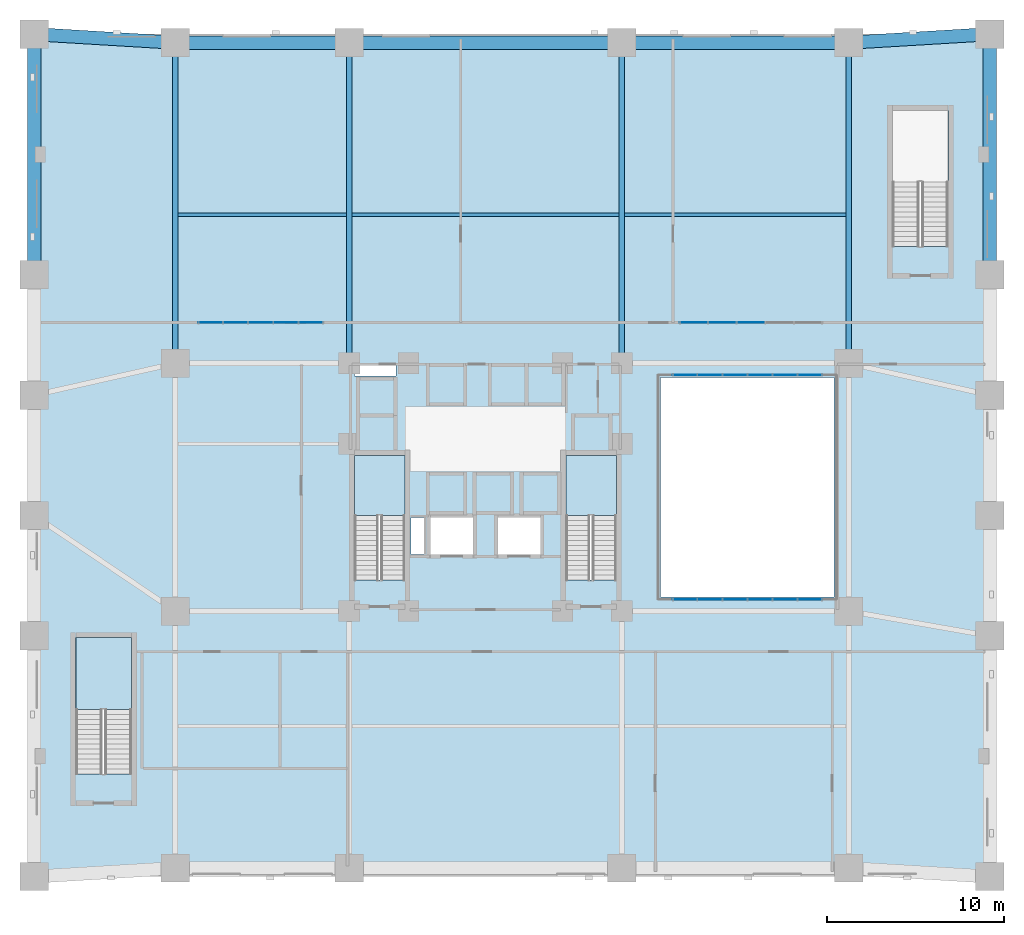
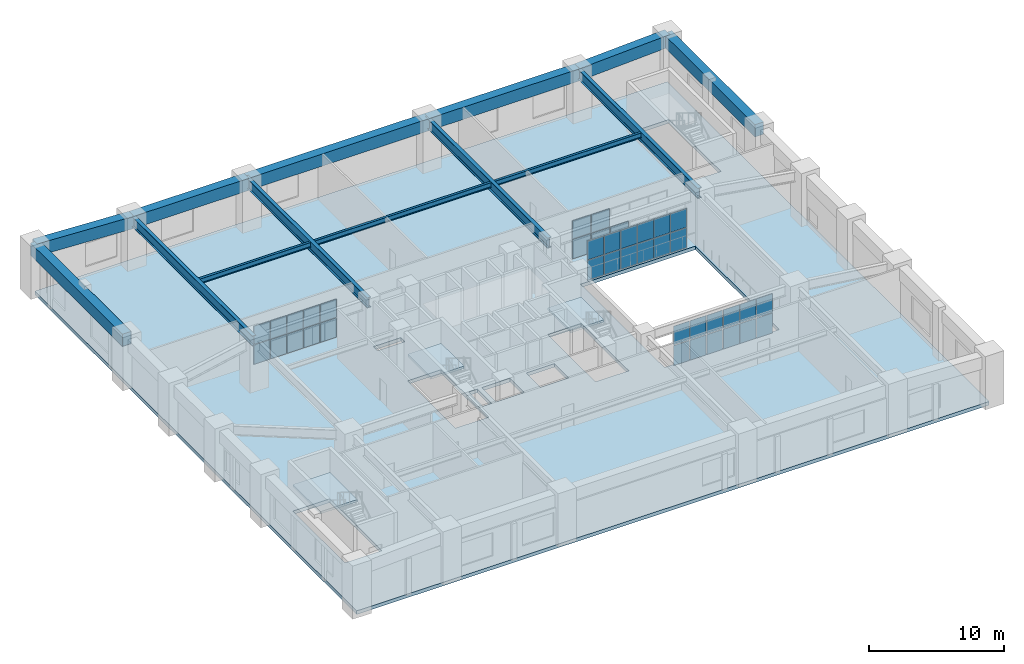
# One storey, part 5 of 13: 39 plates, 14 beams, 4 slabs, 7 elements without a shape of their own.
"""IFC4 building model written with IfcOpenShell, lengths in metres."""

from ifc_helpers import new_model, si_unit, derived_unit, direction, frame, origin, origin_2d, place, context, subcontext, project, spatial, polyline, rectangle, i_section, outline, extrude, material, layer, layer_set, material_profile, profile_set, type_object, element, aggregate, save


model = new_model("IFC4")

# Units and contexts
model_context = context("Model", 3, precision=1e-05, world=origin(), true_north=direction((0.0, 1.0)))
body_context = subcontext(model_context, "Body", "Model", "MODEL_VIEW")
ifc_project = project(units=[si_unit("LENGTHUNIT", "METRE"), si_unit("AREAUNIT", "SQUARE_METRE"), si_unit("VOLUMEUNIT", "CUBIC_METRE"), si_unit("PLANEANGLEUNIT", "RADIAN"), si_unit("MASSUNIT", "GRAM", prefix="KILO"), derived_unit("THERMALTRANSMITTANCEUNIT", [(si_unit("MASSUNIT", "GRAM", prefix="KILO"), 1), (si_unit("TIMEUNIT", "SECOND"), -3), (si_unit("THERMODYNAMICTEMPERATUREUNIT", "KELVIN"), -1)])], contexts=[model_context])

# Site, building, storey
site_placement = place(None, origin())
site = spatial("IfcSite", under=ifc_project, at=site_placement, CompositionType="ELEMENT")
building_placement = place(site_placement, origin())
building = spatial("IfcBuilding", under=site, at=building_placement, Name="Korrvale Station Residences", CompositionType="ELEMENT")
storey_placement = place(building_placement, frame((0.0, 0.0, 11.199951171875)))
storey = spatial("IfcBuildingStorey", under=building, at=storey_placement, Name="L02", CompositionType="ELEMENT", Elevation=11.199951171875)

# Beams
ifc_material_1 = material(Name="Steel S355", Category="steel")
ifc_material_profile_1 = material_profile(ifc_material_1, i_section(OverallWidth=0.300048828125, OverallDepth=0.89990234375, WebThickness=0.01611328125, FlangeThickness=0.030029296875, FilletRadius=0.01611328125, at=origin_2d()), Name="WWF900x262")
ifc_profile_set_1 = profile_set([ifc_material_profile_1], Name="Steel S355")
beam_type_1 = type_object("IfcBeamType", Name="BM-BM-WWF900x262-S355", PredefinedType="BEAM", material=ifc_profile_set_1)
for number, where, z_axis, x_axis, name in (
    (1, (7.97998046875, 29.0, 4.030029296875), (0.0, 1.0, 0.0), (-1.0, 0.0, 0.0), "L02 Station Primary Girder 03"),
    (2, (46.02001953125, 29.0, 4.030029296875), (0.0, 1.0, 0.0), (-1.0, 0.0, 0.0), "L02 Station Primary Girder 06"),
    (3, (17.800048828125, 29.0, 4.030029296875), (0.0, 1.0, 0.0), (-1.0, 0.0, 0.0), "L02 Station Primary Girder 09"),
    (4, (33.199951171875, 29.0, 4.030029296875), (0.0, 1.0, 0.0), (-1.0, 0.0, 0.0), "L02 Station Primary Girder 10"),
):
    element("IfcBeam", number, at=place(storey_placement, frame(where, z_axis=z_axis, x_axis=x_axis)), inside=storey, type_object=beam_type_1, Name=name, PredefinedType="BEAM", context=body_context, shape_type="SweptSolid", body=[
        extrude(i_section(OverallWidth=0.300048828125, OverallDepth=0.89990234375, WebThickness=0.01611328125, FlangeThickness=0.030029296875, FilletRadius=0.01611328125, at=origin_2d()), origin(), (0.0, 0.0, 1.0), 18.1201171875),
    ])
ifc_material_profile_2 = material_profile(ifc_material_1, i_section(OverallWidth=0.18994140625, OverallDepth=0.45703125, WebThickness=0.009033203125, FlangeThickness=0.014404296875, FilletRadius=0.01611328125, at=origin_2d()), Name="W460x74")
ifc_profile_set_2 = profile_set([ifc_material_profile_2], Name="Steel S355")
beam_type_2 = type_object("IfcBeamType", Name="BM-JST-W460x74-S355", PredefinedType="JOIST", material=ifc_profile_set_2)
beam_1_placement = place(storey_placement, frame((8.1298828125, 37.39990234375, 4.25146484375), z_axis=(1.0, 0.0, 0.0), x_axis=(0.0, 1.0, 0.0)))
element("IfcBeam", 5, at=beam_1_placement, inside=storey, type_object=beam_type_2, Name="L02 Station Floor Joist 01", PredefinedType="JOIST", context=body_context, shape_type="SweptSolid", body=[
    extrude(i_section(OverallWidth=0.18994140625, OverallDepth=0.45703125, WebThickness=0.009033203125, FlangeThickness=0.014404296875, FilletRadius=0.01611328125, at=origin_2d()), origin(), (0.0, 0.0, 1.0), 9.52001953125),
])
beam_2_placement = place(storey_placement, frame((17.949951171875, 37.39990234375, 4.25146484375), z_axis=(1.0, 0.0, 0.0), x_axis=(0.0, 1.0, 0.0)))
element("IfcBeam", 6, at=beam_2_placement, inside=storey, type_object=beam_type_2, Name="L02 Station Floor Joist 02", PredefinedType="JOIST", context=body_context, shape_type="SweptSolid", body=[
    extrude(i_section(OverallWidth=0.18994140625, OverallDepth=0.45703125, WebThickness=0.009033203125, FlangeThickness=0.014404296875, FilletRadius=0.01611328125, at=origin_2d()), origin(), (0.0, 0.0, 1.0), 15.10009765625),
])
beam_3_placement = place(storey_placement, frame((33.35009765625, 37.39990234375, 4.25146484375), z_axis=(1.0, 0.0, 0.0), x_axis=(0.0, 1.0, 0.0)))
element("IfcBeam", 7, at=beam_3_placement, inside=storey, type_object=beam_type_2, Name="L02 Station Floor Joist 03", PredefinedType="JOIST", context=body_context, shape_type="SweptSolid", body=[
    extrude(i_section(OverallWidth=0.18994140625, OverallDepth=0.45703125, WebThickness=0.009033203125, FlangeThickness=0.014404296875, FilletRadius=0.01611328125, at=origin_2d()), origin(), (0.0, 0.0, 1.0), 12.52001953125),
])
ifc_material_2 = material(Name="Concrete C70/85", Category="concrete")
ifc_material_profile_3 = material_profile(ifc_material_2, rectangle(XDim=0.75, YDim=1.10009765625, at=origin_2d()), Name="RCB750x1100")
ifc_profile_set_3 = profile_set([ifc_material_profile_3], Name="Concrete C70/85")
beam_type_3 = type_object("IfcBeamType", Name="BM-SPB-RCB750x1100-C7085", PredefinedType="SPANDREL", material=ifc_profile_set_3)
for number, where, z_axis, x_axis, name in (
    (8, (0.0, 34.0, 3.929931640625), (0.0, 1.0, 0.0), (-1.0, 0.0, 0.0), "L02 Station Spandrel Beam 05"),
    (9, (54.0, 34.0, 3.929931640625), (0.0, 1.0, 0.0), (-1.0, 0.0, 0.0), "L02 Station Spandrel Beam 10"),
):
    element("IfcBeam", number, at=place(storey_placement, frame(where, z_axis=z_axis, x_axis=x_axis)), inside=storey, type_object=beam_type_3, Name=name, PredefinedType="SPANDREL", context=body_context, shape_type="SweptSolid", body=[
        extrude(rectangle(XDim=0.75, YDim=1.10009765625, at=origin_2d()), origin(), (0.0, 0.0, 1.0), 13.60009765625),
    ])
beam_4_placement = place(storey_placement, frame((0.0, 47.60009765625, 3.929931640625), z_axis=(0.998195997903, -0.060039568374, 0.0), x_axis=(0.060039568374, 0.998195997903, 0.0)))
element("IfcBeam", 10, at=beam_4_placement, inside=storey, type_object=beam_type_3, Name="L02 Station Spandrel Beam 16", PredefinedType="SPANDREL", context=body_context, shape_type="SweptSolid", body=[
    extrude(rectangle(XDim=0.75, YDim=1.10009765625, at=origin_2d()), origin(), (0.0, 0.0, 1.0), 7.994384765625),
])
beam_5_placement = place(storey_placement, frame((7.97998046875, 47.1201171875, 3.929931640625), z_axis=(1.0, 0.0, 0.0), x_axis=(0.0, 1.0, 0.0)))
element("IfcBeam", 11, at=beam_5_placement, inside=storey, type_object=beam_type_3, Name="L02 Station Spandrel Beam 17", PredefinedType="SPANDREL", context=body_context, shape_type="SweptSolid", body=[
    extrude(rectangle(XDim=0.75, YDim=1.10009765625, at=origin_2d()), origin(), (0.0, 0.0, 1.0), 9.820068359375),
])
beam_6_placement = place(storey_placement, frame((17.800048828125, 47.1201171875, 3.929931640625), z_axis=(1.0, 0.0, 0.0), x_axis=(0.0, 1.0, 0.0)))
element("IfcBeam", 12, at=beam_6_placement, inside=storey, type_object=beam_type_3, Name="L02 Station Spandrel Beam 18", PredefinedType="SPANDREL", context=body_context, shape_type="SweptSolid", body=[
    extrude(rectangle(XDim=0.75, YDim=1.10009765625, at=origin_2d()), origin(), (0.0, 0.0, 1.0), 15.39990234375),
])
beam_7_placement = place(storey_placement, frame((33.199951171875, 47.1201171875, 3.929931640625), z_axis=(1.0, 0.0, 0.0), x_axis=(0.0, 1.0, 0.0)))
element("IfcBeam", 13, at=beam_7_placement, inside=storey, type_object=beam_type_3, Name="L02 Station Spandrel Beam 19", PredefinedType="SPANDREL", context=body_context, shape_type="SweptSolid", body=[
    extrude(rectangle(XDim=0.75, YDim=1.10009765625, at=origin_2d()), origin(), (0.0, 0.0, 1.0), 12.820068359375),
])
beam_8_placement = place(storey_placement, frame((46.02001953125, 47.1201171875, 3.929931640625), z_axis=(0.998195997903, 0.060039568374, 0.0), x_axis=(-0.060039568374, 0.998195997903, 0.0)))
element("IfcBeam", 14, at=beam_8_placement, inside=storey, type_object=beam_type_3, Name="L02 Station Spandrel Beam 20", PredefinedType="SPANDREL", context=body_context, shape_type="SweptSolid", body=[
    extrude(rectangle(XDim=0.75, YDim=1.10009765625, at=origin_2d()), origin(), (0.0, 0.0, 1.0), 7.994384765625),
])

# Curtain wall, plates
ifc_material_3 = material(Name="Unitised thermally broken aluminium curtain wall with triple low-e IGU", Category="aluminium")
curtain_wall_type_1 = type_object("IfcCurtainWallType", Name="CW-ATR-POD", PredefinedType="NOTDEFINED", material=ifc_material_3)
curtain_wall_1_placement = place(storey_placement, origin())
curtain_wall_1 = element("IfcCurtainWall", 15, at=curtain_wall_1_placement, inside=storey, type_object=curtain_wall_type_1, Name="L02 Curtain Wall CW3-RUN-3", PredefinedType="NOTDEFINED")
ifc_material_4 = material(Name="Triple-glazed low-e argon insulated glass unit", Category="glass")
ifc_layer_1 = layer(ifc_material_4, 0.035888671875, Name="Triple-glazed low-e argon insulated glass unit")
ifc_layer_set_1 = layer_set([ifc_layer_1], Name="Triple-glazed low-e argon insulated glass unit")
plate_type_1 = type_object("IfcPlateType", Name="CW-ATR-POD-P", PredefinedType="CURTAIN_PANEL", material=ifc_layer_set_1)
plate_1_placement = place(storey_placement, frame((36.75830078125, 15.64990234375, 0.030029296875), z_axis=(0.0, 0.0, 1.0), x_axis=(1.0, 0.0, 0.0)))
plate_1 = element("IfcPlate", 16, at=plate_1_placement, type_object=plate_type_1, Name="CW-ATR-POD Glazing Panel 1-1", PredefinedType="CURTAIN_PANEL", context=body_context, shape_type="SweptSolid", body=[
    extrude(rectangle(XDim=1.356689453125, YDim=0.035888671875, at=origin_2d()), origin(), (0.0, 0.0, 1.0), 1.7900390625),
])
plate_2_placement = place(storey_placement, frame((36.75830078125, 15.64990234375, 1.880126953125), z_axis=(0.0, 0.0, 1.0), x_axis=(1.0, 0.0, 0.0)))
plate_2 = element("IfcPlate", 17, at=plate_2_placement, type_object=plate_type_1, Name="CW-ATR-POD Glazing Panel 1-2", PredefinedType="CURTAIN_PANEL", context=body_context, shape_type="SweptSolid", body=[
    extrude(rectangle(XDim=1.356689453125, YDim=0.035888671875, at=origin_2d()), origin(), (0.0, 0.0, 1.0), 1.68994140625),
])
plate_3_placement = place(storey_placement, frame((38.175048828125, 15.64990234375, 0.030029296875), z_axis=(0.0, 0.0, 1.0), x_axis=(1.0, 0.0, 0.0)))
plate_3 = element("IfcPlate", 18, at=plate_3_placement, type_object=plate_type_1, Name="CW-ATR-POD Glazing Panel 2-1", PredefinedType="CURTAIN_PANEL", context=body_context, shape_type="SweptSolid", body=[
    extrude(rectangle(XDim=1.356689453125, YDim=0.035888671875, at=origin_2d()), origin(), (0.0, 0.0, 1.0), 1.7900390625),
])
plate_4_placement = place(storey_placement, frame((38.175048828125, 15.64990234375, 1.880126953125), z_axis=(0.0, 0.0, 1.0), x_axis=(1.0, 0.0, 0.0)))
plate_4 = element("IfcPlate", 19, at=plate_4_placement, type_object=plate_type_1, Name="CW-ATR-POD Glazing Panel 2-2", PredefinedType="CURTAIN_PANEL", context=body_context, shape_type="SweptSolid", body=[
    extrude(rectangle(XDim=1.356689453125, YDim=0.035888671875, at=origin_2d()), origin(), (0.0, 0.0, 1.0), 1.68994140625),
])
plate_5_placement = place(storey_placement, frame((39.591796875, 15.64990234375, 0.030029296875), z_axis=(0.0, 0.0, 1.0), x_axis=(1.0, 0.0, 0.0)))
plate_5 = element("IfcPlate", 20, at=plate_5_placement, type_object=plate_type_1, Name="CW-ATR-POD Glazing Panel 3-1", PredefinedType="CURTAIN_PANEL", context=body_context, shape_type="SweptSolid", body=[
    extrude(rectangle(XDim=1.356689453125, YDim=0.035888671875, at=origin_2d()), origin(), (0.0, 0.0, 1.0), 1.7900390625),
])
plate_6_placement = place(storey_placement, frame((39.591796875, 15.64990234375, 1.880126953125), z_axis=(0.0, 0.0, 1.0), x_axis=(1.0, 0.0, 0.0)))
plate_6 = element("IfcPlate", 21, at=plate_6_placement, type_object=plate_type_1, Name="CW-ATR-POD Glazing Panel 3-2", PredefinedType="CURTAIN_PANEL", context=body_context, shape_type="SweptSolid", body=[
    extrude(rectangle(XDim=1.356689453125, YDim=0.035888671875, at=origin_2d()), origin(), (0.0, 0.0, 1.0), 1.68994140625),
])
plate_7_placement = place(storey_placement, frame((41.00830078125, 15.64990234375, 0.030029296875), z_axis=(0.0, 0.0, 1.0), x_axis=(1.0, 0.0, 0.0)))
plate_7 = element("IfcPlate", 22, at=plate_7_placement, type_object=plate_type_1, Name="CW-ATR-POD Glazing Panel 4-1", PredefinedType="CURTAIN_PANEL", context=body_context, shape_type="SweptSolid", body=[
    extrude(rectangle(XDim=1.356689453125, YDim=0.035888671875, at=origin_2d()), origin(), (0.0, 0.0, 1.0), 1.7900390625),
])
plate_8_placement = place(storey_placement, frame((41.00830078125, 15.64990234375, 1.880126953125), z_axis=(0.0, 0.0, 1.0), x_axis=(1.0, 0.0, 0.0)))
plate_8 = element("IfcPlate", 23, at=plate_8_placement, type_object=plate_type_1, Name="CW-ATR-POD Glazing Panel 4-2", PredefinedType="CURTAIN_PANEL", context=body_context, shape_type="SweptSolid", body=[
    extrude(rectangle(XDim=1.356689453125, YDim=0.035888671875, at=origin_2d()), origin(), (0.0, 0.0, 1.0), 1.68994140625),
])
plate_9_placement = place(storey_placement, frame((42.425048828125, 15.64990234375, 0.030029296875), z_axis=(0.0, 0.0, 1.0), x_axis=(1.0, 0.0, 0.0)))
plate_9 = element("IfcPlate", 24, at=plate_9_placement, type_object=plate_type_1, Name="CW-ATR-POD Glazing Panel 5-1", PredefinedType="CURTAIN_PANEL", context=body_context, shape_type="SweptSolid", body=[
    extrude(rectangle(XDim=1.356689453125, YDim=0.035888671875, at=origin_2d()), origin(), (0.0, 0.0, 1.0), 1.7900390625),
])
plate_10_placement = place(storey_placement, frame((42.425048828125, 15.64990234375, 1.880126953125), z_axis=(0.0, 0.0, 1.0), x_axis=(1.0, 0.0, 0.0)))
plate_10 = element("IfcPlate", 25, at=plate_10_placement, type_object=plate_type_1, Name="CW-ATR-POD Glazing Panel 5-2", PredefinedType="CURTAIN_PANEL", context=body_context, shape_type="SweptSolid", body=[
    extrude(rectangle(XDim=1.356689453125, YDim=0.035888671875, at=origin_2d()), origin(), (0.0, 0.0, 1.0), 1.68994140625),
])
plate_11_placement = place(storey_placement, frame((43.841796875, 15.64990234375, 0.030029296875), z_axis=(0.0, 0.0, 1.0), x_axis=(1.0, 0.0, 0.0)))
plate_11 = element("IfcPlate", 26, at=plate_11_placement, type_object=plate_type_1, Name="CW-ATR-POD Glazing Panel 6-1", PredefinedType="CURTAIN_PANEL", context=body_context, shape_type="SweptSolid", body=[
    extrude(rectangle(XDim=1.356689453125, YDim=0.035888671875, at=origin_2d()), origin(), (0.0, 0.0, 1.0), 1.7900390625),
])
plate_12_placement = place(storey_placement, frame((43.841796875, 15.64990234375, 1.880126953125), z_axis=(0.0, 0.0, 1.0), x_axis=(1.0, 0.0, 0.0)))
plate_12 = element("IfcPlate", 27, at=plate_12_placement, type_object=plate_type_1, Name="CW-ATR-POD Glazing Panel 6-2", PredefinedType="CURTAIN_PANEL", context=body_context, shape_type="SweptSolid", body=[
    extrude(rectangle(XDim=1.356689453125, YDim=0.035888671875, at=origin_2d()), origin(), (0.0, 0.0, 1.0), 1.68994140625),
])
aggregate(curtain_wall_1, [plate_1, plate_2, plate_3, plate_4, plate_5, plate_6, plate_7, plate_8, plate_9, plate_10, plate_11, plate_12])

curtain_wall_2_placement = place(storey_placement, origin())
curtain_wall_2 = element("IfcCurtainWall", 28, at=curtain_wall_2_placement, inside=storey, type_object=curtain_wall_type_1, Name="L02 Curtain Wall CW3-RUN-4", PredefinedType="NOTDEFINED")
plate_13_placement = place(storey_placement, frame((36.75830078125, 28.35009765625, 0.030029296875), z_axis=(0.0, 0.0, 1.0), x_axis=(1.0, 0.0, 0.0)))
plate_13 = element("IfcPlate", 29, at=plate_13_placement, type_object=plate_type_1, Name="CW-ATR-POD Glazing Panel 1-1", PredefinedType="CURTAIN_PANEL", context=body_context, shape_type="SweptSolid", body=[
    extrude(rectangle(XDim=1.356689453125, YDim=0.035888671875, at=origin_2d()), origin(), (0.0, 0.0, 1.0), 1.7900390625),
])
plate_14_placement = place(storey_placement, frame((36.75830078125, 28.35009765625, 1.880126953125), z_axis=(0.0, 0.0, 1.0), x_axis=(1.0, 0.0, 0.0)))
plate_14 = element("IfcPlate", 30, at=plate_14_placement, type_object=plate_type_1, Name="CW-ATR-POD Glazing Panel 1-2", PredefinedType="CURTAIN_PANEL", context=body_context, shape_type="SweptSolid", body=[
    extrude(rectangle(XDim=1.356689453125, YDim=0.035888671875, at=origin_2d()), origin(), (0.0, 0.0, 1.0), 1.68994140625),
])
plate_15_placement = place(storey_placement, frame((38.175048828125, 28.35009765625, 0.030029296875), z_axis=(0.0, 0.0, 1.0), x_axis=(1.0, 0.0, 0.0)))
plate_15 = element("IfcPlate", 31, at=plate_15_placement, type_object=plate_type_1, Name="CW-ATR-POD Glazing Panel 2-1", PredefinedType="CURTAIN_PANEL", context=body_context, shape_type="SweptSolid", body=[
    extrude(rectangle(XDim=1.356689453125, YDim=0.035888671875, at=origin_2d()), origin(), (0.0, 0.0, 1.0), 1.7900390625),
])
plate_16_placement = place(storey_placement, frame((38.175048828125, 28.35009765625, 1.880126953125), z_axis=(0.0, 0.0, 1.0), x_axis=(1.0, 0.0, 0.0)))
plate_16 = element("IfcPlate", 32, at=plate_16_placement, type_object=plate_type_1, Name="CW-ATR-POD Glazing Panel 2-2", PredefinedType="CURTAIN_PANEL", context=body_context, shape_type="SweptSolid", body=[
    extrude(rectangle(XDim=1.356689453125, YDim=0.035888671875, at=origin_2d()), origin(), (0.0, 0.0, 1.0), 1.68994140625),
])
plate_17_placement = place(storey_placement, frame((39.591796875, 28.35009765625, 0.030029296875), z_axis=(0.0, 0.0, 1.0), x_axis=(1.0, 0.0, 0.0)))
plate_17 = element("IfcPlate", 33, at=plate_17_placement, type_object=plate_type_1, Name="CW-ATR-POD Glazing Panel 3-1", PredefinedType="CURTAIN_PANEL", context=body_context, shape_type="SweptSolid", body=[
    extrude(rectangle(XDim=1.356689453125, YDim=0.035888671875, at=origin_2d()), origin(), (0.0, 0.0, 1.0), 1.7900390625),
])
plate_18_placement = place(storey_placement, frame((39.591796875, 28.35009765625, 1.880126953125), z_axis=(0.0, 0.0, 1.0), x_axis=(1.0, 0.0, 0.0)))
plate_18 = element("IfcPlate", 34, at=plate_18_placement, type_object=plate_type_1, Name="CW-ATR-POD Glazing Panel 3-2", PredefinedType="CURTAIN_PANEL", context=body_context, shape_type="SweptSolid", body=[
    extrude(rectangle(XDim=1.356689453125, YDim=0.035888671875, at=origin_2d()), origin(), (0.0, 0.0, 1.0), 1.68994140625),
])
plate_19_placement = place(storey_placement, frame((41.00830078125, 28.35009765625, 0.030029296875), z_axis=(0.0, 0.0, 1.0), x_axis=(1.0, 0.0, 0.0)))
plate_19 = element("IfcPlate", 35, at=plate_19_placement, type_object=plate_type_1, Name="CW-ATR-POD Glazing Panel 4-1", PredefinedType="CURTAIN_PANEL", context=body_context, shape_type="SweptSolid", body=[
    extrude(rectangle(XDim=1.356689453125, YDim=0.035888671875, at=origin_2d()), origin(), (0.0, 0.0, 1.0), 1.7900390625),
])
plate_20_placement = place(storey_placement, frame((41.00830078125, 28.35009765625, 1.880126953125), z_axis=(0.0, 0.0, 1.0), x_axis=(1.0, 0.0, 0.0)))
plate_20 = element("IfcPlate", 36, at=plate_20_placement, type_object=plate_type_1, Name="CW-ATR-POD Glazing Panel 4-2", PredefinedType="CURTAIN_PANEL", context=body_context, shape_type="SweptSolid", body=[
    extrude(rectangle(XDim=1.356689453125, YDim=0.035888671875, at=origin_2d()), origin(), (0.0, 0.0, 1.0), 1.68994140625),
])
plate_21_placement = place(storey_placement, frame((42.425048828125, 28.35009765625, 0.030029296875), z_axis=(0.0, 0.0, 1.0), x_axis=(1.0, 0.0, 0.0)))
plate_21 = element("IfcPlate", 37, at=plate_21_placement, type_object=plate_type_1, Name="CW-ATR-POD Glazing Panel 5-1", PredefinedType="CURTAIN_PANEL", context=body_context, shape_type="SweptSolid", body=[
    extrude(rectangle(XDim=1.356689453125, YDim=0.035888671875, at=origin_2d()), origin(), (0.0, 0.0, 1.0), 1.7900390625),
])
plate_22_placement = place(storey_placement, frame((42.425048828125, 28.35009765625, 1.880126953125), z_axis=(0.0, 0.0, 1.0), x_axis=(1.0, 0.0, 0.0)))
plate_22 = element("IfcPlate", 38, at=plate_22_placement, type_object=plate_type_1, Name="CW-ATR-POD Glazing Panel 5-2", PredefinedType="CURTAIN_PANEL", context=body_context, shape_type="SweptSolid", body=[
    extrude(rectangle(XDim=1.356689453125, YDim=0.035888671875, at=origin_2d()), origin(), (0.0, 0.0, 1.0), 1.68994140625),
])
plate_23_placement = place(storey_placement, frame((43.841796875, 28.35009765625, 0.030029296875), z_axis=(0.0, 0.0, 1.0), x_axis=(1.0, 0.0, 0.0)))
plate_23 = element("IfcPlate", 39, at=plate_23_placement, type_object=plate_type_1, Name="CW-ATR-POD Glazing Panel 6-1", PredefinedType="CURTAIN_PANEL", context=body_context, shape_type="SweptSolid", body=[
    extrude(rectangle(XDim=1.356689453125, YDim=0.035888671875, at=origin_2d()), origin(), (0.0, 0.0, 1.0), 1.7900390625),
])
plate_24_placement = place(storey_placement, frame((43.841796875, 28.35009765625, 1.880126953125), z_axis=(0.0, 0.0, 1.0), x_axis=(1.0, 0.0, 0.0)))
plate_24 = element("IfcPlate", 40, at=plate_24_placement, type_object=plate_type_1, Name="CW-ATR-POD Glazing Panel 6-2", PredefinedType="CURTAIN_PANEL", context=body_context, shape_type="SweptSolid", body=[
    extrude(rectangle(XDim=1.356689453125, YDim=0.035888671875, at=origin_2d()), origin(), (0.0, 0.0, 1.0), 1.68994140625),
])
aggregate(curtain_wall_2, [plate_13, plate_14, plate_15, plate_16, plate_17, plate_18, plate_19, plate_20, plate_21, plate_22, plate_23, plate_24])

curtain_wall_type_2 = type_object("IfcCurtainWallType", Name="CW-STN-CON", PredefinedType="NOTDEFINED", material=ifc_material_3)
curtain_wall_3_placement = place(storey_placement, origin())
curtain_wall_3 = element("IfcCurtainWall", 41, at=curtain_wall_3_placement, inside=storey, type_object=curtain_wall_type_2, Name="L02 Curtain Wall CW2-RUN-5", PredefinedType="NOTDEFINED")
ifc_layer_2 = layer(ifc_material_4, 0.035888671875, Name="Triple-glazed low-e argon insulated glass unit")
ifc_layer_set_2 = layer_set([ifc_layer_2], Name="Triple-glazed low-e argon insulated glass unit")
plate_type_2 = type_object("IfcPlateType", Name="CW-STN-CON-P", PredefinedType="CURTAIN_PANEL", material=ifc_layer_set_2)
plate_25_placement = place(storey_placement, frame((9.9599609375, 31.300048828125, 0.0302734375), z_axis=(0.0, 0.0, 1.0), x_axis=(1.0, 0.0, 0.0)))
plate_25 = element("IfcPlate", 42, at=plate_25_placement, type_object=plate_type_2, Name="CW-STN-CON Glazing Panel 1-1", PredefinedType="CURTAIN_PANEL", context=body_context, shape_type="SweptSolid", body=[
    extrude(rectangle(XDim=1.360107421875, YDim=0.035888671875, at=origin_2d()), origin(), (0.0, 0.0, 1.0), 1.739990234375),
])
plate_26_placement = place(storey_placement, frame((9.9599609375, 31.300048828125, 1.830078125), z_axis=(0.0, 0.0, 1.0), x_axis=(1.0, 0.0, 0.0)))
plate_26 = element("IfcPlate", 43, at=plate_26_placement, type_object=plate_type_2, Name="CW-STN-CON Glazing Panel 1-2", PredefinedType="CURTAIN_PANEL", context=body_context, shape_type="SweptSolid", body=[
    extrude(rectangle(XDim=1.360107421875, YDim=0.035888671875, at=origin_2d()), origin(), (0.0, 0.0, 1.0), 1.639892578125),
])
plate_27_placement = place(storey_placement, frame((11.3798828125, 31.300048828125, 0.0302734375), z_axis=(0.0, 0.0, 1.0), x_axis=(1.0, 0.0, 0.0)))
plate_27 = element("IfcPlate", 44, at=plate_27_placement, type_object=plate_type_2, Name="CW-STN-CON Glazing Panel 2-1", PredefinedType="CURTAIN_PANEL", context=body_context, shape_type="SweptSolid", body=[
    extrude(rectangle(XDim=1.360107421875, YDim=0.035888671875, at=origin_2d()), origin(), (0.0, 0.0, 1.0), 1.739990234375),
])
plate_28_placement = place(storey_placement, frame((11.3798828125, 31.300048828125, 1.830078125), z_axis=(0.0, 0.0, 1.0), x_axis=(1.0, 0.0, 0.0)))
plate_28 = element("IfcPlate", 45, at=plate_28_placement, type_object=plate_type_2, Name="CW-STN-CON Glazing Panel 2-2", PredefinedType="CURTAIN_PANEL", context=body_context, shape_type="SweptSolid", body=[
    extrude(rectangle(XDim=1.360107421875, YDim=0.035888671875, at=origin_2d()), origin(), (0.0, 0.0, 1.0), 1.639892578125),
])
plate_29_placement = place(storey_placement, frame((12.800048828125, 31.300048828125, 0.0302734375), z_axis=(0.0, 0.0, 1.0), x_axis=(1.0, 0.0, 0.0)))
plate_29 = element("IfcPlate", 46, at=plate_29_placement, type_object=plate_type_2, Name="CW-STN-CON Glazing Panel 3-1", PredefinedType="CURTAIN_PANEL", context=body_context, shape_type="SweptSolid", body=[
    extrude(rectangle(XDim=1.360107421875, YDim=0.035888671875, at=origin_2d()), origin(), (0.0, 0.0, 1.0), 1.739990234375),
])
plate_30_placement = place(storey_placement, frame((12.800048828125, 31.300048828125, 1.830078125), z_axis=(0.0, 0.0, 1.0), x_axis=(1.0, 0.0, 0.0)))
plate_30 = element("IfcPlate", 47, at=plate_30_placement, type_object=plate_type_2, Name="CW-STN-CON Glazing Panel 3-2", PredefinedType="CURTAIN_PANEL", context=body_context, shape_type="SweptSolid", body=[
    extrude(rectangle(XDim=1.360107421875, YDim=0.035888671875, at=origin_2d()), origin(), (0.0, 0.0, 1.0), 1.639892578125),
])
plate_31_placement = place(storey_placement, frame((14.219970703125, 31.300048828125, 0.0302734375), z_axis=(0.0, 0.0, 1.0), x_axis=(1.0, 0.0, 0.0)))
plate_31 = element("IfcPlate", 48, at=plate_31_placement, type_object=plate_type_2, Name="CW-STN-CON Glazing Panel 4-1", PredefinedType="CURTAIN_PANEL", context=body_context, shape_type="SweptSolid", body=[
    extrude(rectangle(XDim=1.360107421875, YDim=0.035888671875, at=origin_2d()), origin(), (0.0, 0.0, 1.0), 1.739990234375),
])
plate_32_placement = place(storey_placement, frame((14.219970703125, 31.300048828125, 1.830078125), z_axis=(0.0, 0.0, 1.0), x_axis=(1.0, 0.0, 0.0)))
plate_32 = element("IfcPlate", 49, at=plate_32_placement, type_object=plate_type_2, Name="CW-STN-CON Glazing Panel 4-2", PredefinedType="CURTAIN_PANEL", context=body_context, shape_type="SweptSolid", body=[
    extrude(rectangle(XDim=1.360107421875, YDim=0.035888671875, at=origin_2d()), origin(), (0.0, 0.0, 1.0), 1.639892578125),
])
plate_33_placement = place(storey_placement, frame((15.639892578125, 31.300048828125, 0.0302734375), z_axis=(0.0, 0.0, 1.0), x_axis=(1.0, 0.0, 0.0)))
plate_33 = element("IfcPlate", 50, at=plate_33_placement, type_object=plate_type_2, Name="CW-STN-CON Glazing Panel 5-1", PredefinedType="CURTAIN_PANEL", context=body_context, shape_type="SweptSolid", body=[
    extrude(rectangle(XDim=1.360107421875, YDim=0.035888671875, at=origin_2d()), origin(), (0.0, 0.0, 1.0), 1.739990234375),
])
plate_34_placement = place(storey_placement, frame((15.639892578125, 31.300048828125, 1.830078125), z_axis=(0.0, 0.0, 1.0), x_axis=(1.0, 0.0, 0.0)))
plate_34 = element("IfcPlate", 51, at=plate_34_placement, type_object=plate_type_2, Name="CW-STN-CON Glazing Panel 5-2", PredefinedType="CURTAIN_PANEL", context=body_context, shape_type="SweptSolid", body=[
    extrude(rectangle(XDim=1.360107421875, YDim=0.035888671875, at=origin_2d()), origin(), (0.0, 0.0, 1.0), 1.639892578125),
])
aggregate(curtain_wall_3, [plate_25, plate_26, plate_27, plate_28, plate_29, plate_30, plate_31, plate_32, plate_33, plate_34])

curtain_wall_4_placement = place(storey_placement, origin())
curtain_wall_4 = element("IfcCurtainWall", 52, at=curtain_wall_4_placement, inside=storey, type_object=curtain_wall_type_2, Name="L02 Curtain Wall CW2-RUN-6", PredefinedType="NOTDEFINED")
plate_35_placement = place(storey_placement, frame((37.260009765625, 31.300048828125, 0.0302734375), z_axis=(0.0, 0.0, 1.0), x_axis=(1.0, 0.0, 0.0)))
plate_35 = element("IfcPlate", 53, at=plate_35_placement, type_object=plate_type_2, Name="CW-STN-CON Glazing Panel 1-1", PredefinedType="CURTAIN_PANEL", context=body_context, shape_type="SweptSolid", body=[
    extrude(rectangle(XDim=1.56005859375, YDim=0.035888671875, at=origin_2d()), origin(), (0.0, 0.0, 1.0), 1.739990234375),
])
plate_36_placement = place(storey_placement, frame((37.260009765625, 31.300048828125, 1.830078125), z_axis=(0.0, 0.0, 1.0), x_axis=(1.0, 0.0, 0.0)))
plate_36 = element("IfcPlate", 54, at=plate_36_placement, type_object=plate_type_2, Name="CW-STN-CON Glazing Panel 1-2", PredefinedType="CURTAIN_PANEL", context=body_context, shape_type="SweptSolid", body=[
    extrude(rectangle(XDim=1.56005859375, YDim=0.035888671875, at=origin_2d()), origin(), (0.0, 0.0, 1.0), 1.639892578125),
])
plate_37_placement = place(storey_placement, frame((38.8798828125, 31.300048828125, 0.0302734375), z_axis=(0.0, 0.0, 1.0), x_axis=(1.0, 0.0, 0.0)))
plate_37 = element("IfcPlate", 55, at=plate_37_placement, type_object=plate_type_2, Name="CW-STN-CON Glazing Panel 2-1", PredefinedType="CURTAIN_PANEL", context=body_context, shape_type="SweptSolid", body=[
    extrude(rectangle(XDim=1.56005859375, YDim=0.035888671875, at=origin_2d()), origin(), (0.0, 0.0, 1.0), 1.739990234375),
])
plate_38_placement = place(storey_placement, frame((38.8798828125, 31.300048828125, 1.830078125), z_axis=(0.0, 0.0, 1.0), x_axis=(1.0, 0.0, 0.0)))
plate_38 = element("IfcPlate", 56, at=plate_38_placement, type_object=plate_type_2, Name="CW-STN-CON Glazing Panel 2-2", PredefinedType="CURTAIN_PANEL", context=body_context, shape_type="SweptSolid", body=[
    extrude(rectangle(XDim=1.56005859375, YDim=0.035888671875, at=origin_2d()), origin(), (0.0, 0.0, 1.0), 1.639892578125),
])
plate_39_placement = place(storey_placement, frame((40.5, 31.300048828125, 0.0302734375), z_axis=(0.0, 0.0, 1.0), x_axis=(1.0, 0.0, 0.0)))
plate_39 = element("IfcPlate", 57, at=plate_39_placement, type_object=plate_type_2, Name="CW-STN-CON Glazing Panel 3-1", PredefinedType="CURTAIN_PANEL", context=body_context, shape_type="SweptSolid", body=[
    extrude(rectangle(XDim=1.56005859375, YDim=0.035888671875, at=origin_2d()), origin(), (0.0, 0.0, 1.0), 1.739990234375),
])
aggregate(curtain_wall_4, [plate_35, plate_36, plate_37, plate_38, plate_39])

# Slab
ifc_material_5 = material(Name="Concrete C50/60", Category="concrete")
ifc_layer_3 = layer(ifc_material_5, 0.320068359375, Name="Concrete C50/60")
ifc_layer_set_3 = layer_set([ifc_layer_3], Name="Concrete C50/60")
slab_type_1 = type_object("IfcSlabType", Name="SLB-FLR-320", PredefinedType="FLOOR", material=ifc_layer_set_3)
slab_1_placement = place(storey_placement, frame((0.0, 0.0, -0.320068359375)))
element("IfcSlab", 58, at=slab_1_placement, inside=storey, type_object=slab_type_1, Name="L02 Suspended Structural Floor Slab", PredefinedType="FLOOR", context=body_context, shape_type="SweptSolid", body=[
    extrude(outline(polyline([(0.0, 0.0), (54.0, 0.0), (54.0, 47.60009765625), (0.0, 47.60009765625), (0.0, 0.0)]), holes=[polyline([(20.949951171875, 16.751953125), (20.949951171875, 23.800048828125), (18.10009765625, 23.800048828125), (18.10009765625, 16.751953125), (20.949951171875, 16.751953125)]), polyline([(32.89990234375, 16.751953125), (32.89990234375, 23.800048828125), (30.050048828125, 23.800048828125), (30.050048828125, 16.751953125), (32.89990234375, 16.751953125)]), polyline([(5.5, 5.802001953125), (5.5, 13.5), (2.35009765625, 13.5), (2.35009765625, 5.802001953125), (5.5, 5.802001953125)]), polyline([(51.64990234375, 35.60205078125), (51.64990234375, 43.300048828125), (48.5, 43.300048828125), (48.5, 35.60205078125), (51.64990234375, 35.60205078125)]), polyline([(35.39990234375, 15.800048828125), (45.199951171875, 15.800048828125), (45.199951171875, 28.199951171875), (35.39990234375, 28.199951171875), (35.39990234375, 15.800048828125)]), polyline([(22.39990234375, 18.199951171875), (24.800048828125, 18.199951171875), (24.800048828125, 20.300048828125), (22.39990234375, 20.300048828125), (22.39990234375, 18.199951171875)]), polyline([(26.199951171875, 18.199951171875), (28.60009765625, 18.199951171875), (28.60009765625, 20.300048828125), (26.199951171875, 20.300048828125), (26.199951171875, 18.199951171875)]), polyline([(18.10009765625, 28.280029296875), (20.449951171875, 28.280029296875), (20.449951171875, 28.8798828125), (18.10009765625, 28.8798828125), (18.10009765625, 28.280029296875)]), polyline([(21.280029296875, 18.199951171875), (22.02001953125, 18.199951171875), (22.02001953125, 20.300048828125), (21.280029296875, 20.300048828125), (21.280029296875, 18.199951171875)])]), origin(), (0.0, 0.0, 1.0), 0.320068359375),
])

# Stair, slab
stair_type_1 = type_object("IfcStairType", Name="STR-DL-1350-28R-1714", PredefinedType="HALF_TURN_STAIR", material=ifc_material_5)
stair_1_placement = place(storey_placement, origin())
stair_1 = element("IfcStair", 59, at=stair_1_placement, inside=storey, type_object=stair_type_1, Name="L02 Exit Stair 1", PredefinedType="HALF_TURN_STAIR")
ifc_layer_4 = layer(ifc_material_5, 0.199951171875, Name="Concrete C50/60")
ifc_layer_set_4 = layer_set([ifc_layer_4], Name="Concrete C50/60")
slab_type_2 = type_object("IfcSlabType", Name="SLB-LND-200", PredefinedType="LANDING", material=ifc_layer_set_4)
slab_2_placement = place(storey_placement, frame((0.0, 0.0, 2.199951171875)))
slab_2 = element("IfcSlab", 60, at=slab_2_placement, type_object=slab_type_2, Name="ST-1 landing 1", PredefinedType="LANDING", context=body_context, shape_type="SweptSolid", body=[
    extrude(outline(polyline([(20.949951171875, 20.389892578125), (20.949951171875, 23.800048828125), (18.10009765625, 23.800048828125), (18.10009765625, 20.389892578125), (20.949951171875, 20.389892578125)])), origin(), (0.0, 0.0, 1.0), 0.2001953125),
])
aggregate(stair_1, [slab_2])

stair_2_placement = place(storey_placement, origin())
stair_2 = element("IfcStair", 61, at=stair_2_placement, inside=storey, type_object=stair_type_1, Name="L02 Exit Stair 2", PredefinedType="HALF_TURN_STAIR")
slab_3_placement = place(storey_placement, frame((0.0, 0.0, 2.199951171875)))
slab_3 = element("IfcSlab", 62, at=slab_3_placement, type_object=slab_type_2, Name="ST-2 landing 1", PredefinedType="LANDING", context=body_context, shape_type="SweptSolid", body=[
    extrude(outline(polyline([(32.89990234375, 20.389892578125), (32.89990234375, 23.800048828125), (30.050048828125, 23.800048828125), (30.050048828125, 20.389892578125), (32.89990234375, 20.389892578125)])), origin(), (0.0, 0.0, 1.0), 0.2001953125),
])
aggregate(stair_2, [slab_3])

stair_type_2 = type_object("IfcStairType", Name="STR-DL-1500-28R-1714", PredefinedType="HALF_TURN_STAIR", material=ifc_material_5)
stair_3_placement = place(storey_placement, origin())
stair_3 = element("IfcStair", 63, at=stair_3_placement, inside=storey, type_object=stair_type_2, Name="L02 Station Exit Stair 3", PredefinedType="HALF_TURN_STAIR")
slab_4_placement = place(storey_placement, frame((0.0, 0.0, 2.199951171875)))
slab_4 = element("IfcSlab", 64, at=slab_4_placement, type_object=slab_type_2, Name="ST-3 landing 1", PredefinedType="LANDING", context=body_context, shape_type="SweptSolid", body=[
    extrude(outline(polyline([(5.5, 9.43994140625), (5.5, 13.5), (2.35009765625, 13.5), (2.35009765625, 9.43994140625), (5.5, 9.43994140625)])), origin(), (0.0, 0.0, 1.0), 0.2001953125),
])
aggregate(stair_3, [slab_4])

save(model, "model.ifc")
